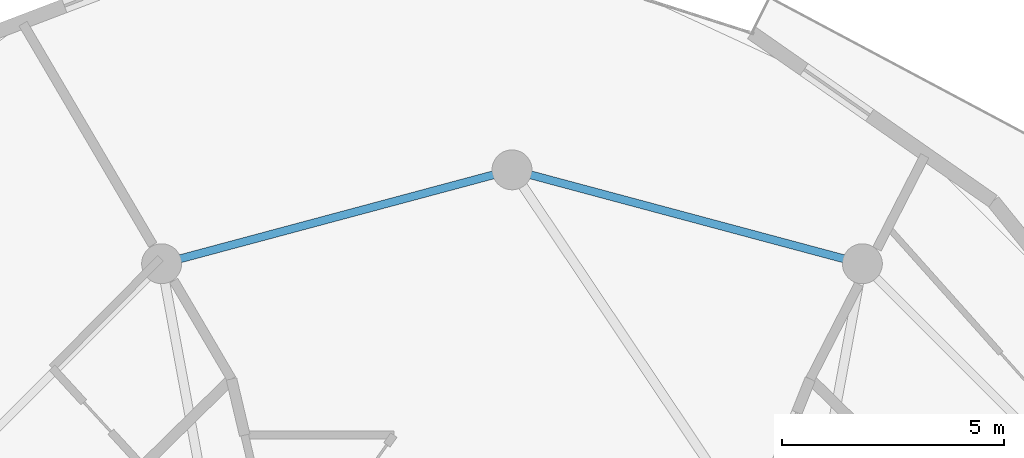
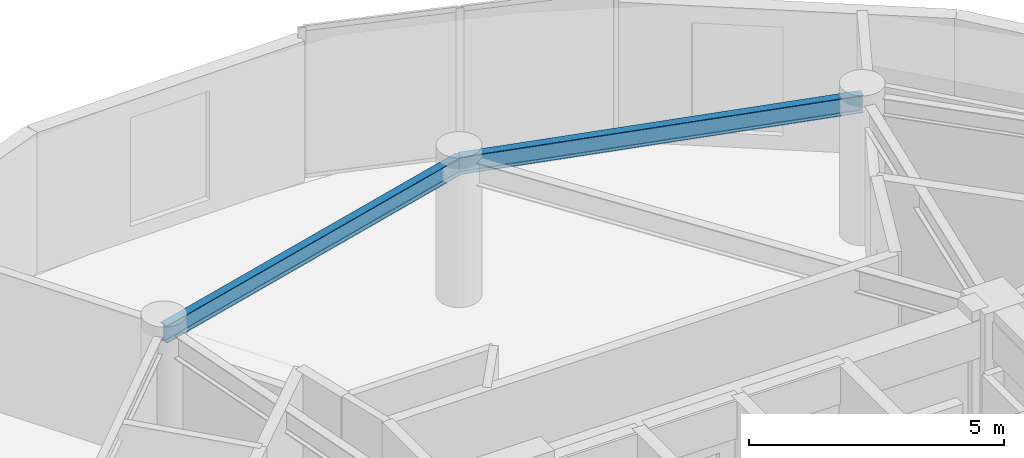
# One storey, part 10 of 18: 2 beams.
"""IFC4 building model written with IfcOpenShell, lengths in metres."""

from ifc_helpers import new_model, si_unit, direction, frame, origin, origin_2d, place, context, subcontext, project, spatial, i_section, extrude, material, material_profile, profile_set, type_object, element, save


model = new_model("IFC4")

# Units and contexts
model_context = context("Model", 3, precision=1e-05, world=origin(), true_north=direction((0.0, 1.0)))
body_context = subcontext(model_context, "Body", "Model", "MODEL_VIEW")
ifc_project = project(units=[si_unit("LENGTHUNIT", "METRE"), si_unit("AREAUNIT", "SQUARE_METRE"), si_unit("VOLUMEUNIT", "CUBIC_METRE"), si_unit("PLANEANGLEUNIT", "RADIAN"), si_unit("MASSUNIT", "GRAM", prefix="KILO")], contexts=[model_context])

# Site, building, storey
site_placement = place(None, origin())
site = spatial("IfcSite", under=ifc_project, at=site_placement, CompositionType="ELEMENT")
building_placement = place(site_placement, origin())
building = spatial("IfcBuilding", under=site, at=building_placement, Name="Solvirekh Grand Hotel", CompositionType="ELEMENT")
storey_placement = place(building_placement, frame((0.0, 0.0, 187.60009765625)))
storey = spatial("IfcBuildingStorey", under=building, at=storey_placement, Name="L48", CompositionType="ELEMENT", Elevation=187.60009765625)

# Beams
ifc_material = material(Name="Steel S355", Category="steel")
ifc_material_profile = material_profile(ifc_material, i_section(OverallWidth=0.180908203125, OverallDepth=0.4169921875, WebThickness=0.010009765625, FlangeThickness=0.01611328125, FilletRadius=0.011962890625, at=origin_2d()), Name="W410X85")
ifc_profile_set = profile_set([ifc_material_profile], Name="Steel S355")
beam_type = type_object("IfcBeamType", Name="Spandrel_Ring_W410", PredefinedType="SPANDREL", material=ifc_profile_set)
for number, where, z_axis, x_axis, name in (
    (1, (7.89990234375, 13.68310546875, 3.15185546875), (-0.965920601923, 0.258838541915, 0.0), (-0.258838541915, -0.965920601923, 0.0), "L48 perimeter spandrel beam 3"),
    (2, (0.0, 15.800048828125, 3.15185546875), (-0.965920601923, -0.258838541915, 0.0), (0.258838541915, -0.965920601923, 0.0), "L48 perimeter spandrel beam 4"),
):
    element("IfcBeam", number, at=place(storey_placement, frame(where, z_axis=z_axis, x_axis=x_axis)), inside=storey, type_object=beam_type, Name=name, PredefinedType="SPANDREL", context=body_context, shape_type="SweptSolid", body=[
        extrude(i_section(OverallWidth=0.180908203125, OverallDepth=0.4169921875, WebThickness=0.010009765625, FlangeThickness=0.01611328125, FilletRadius=0.011962890625, at=origin_2d()), origin(), (0.0, 0.0, 1.0), 8.1787109375),
    ])

save(model, "model.ifc")
